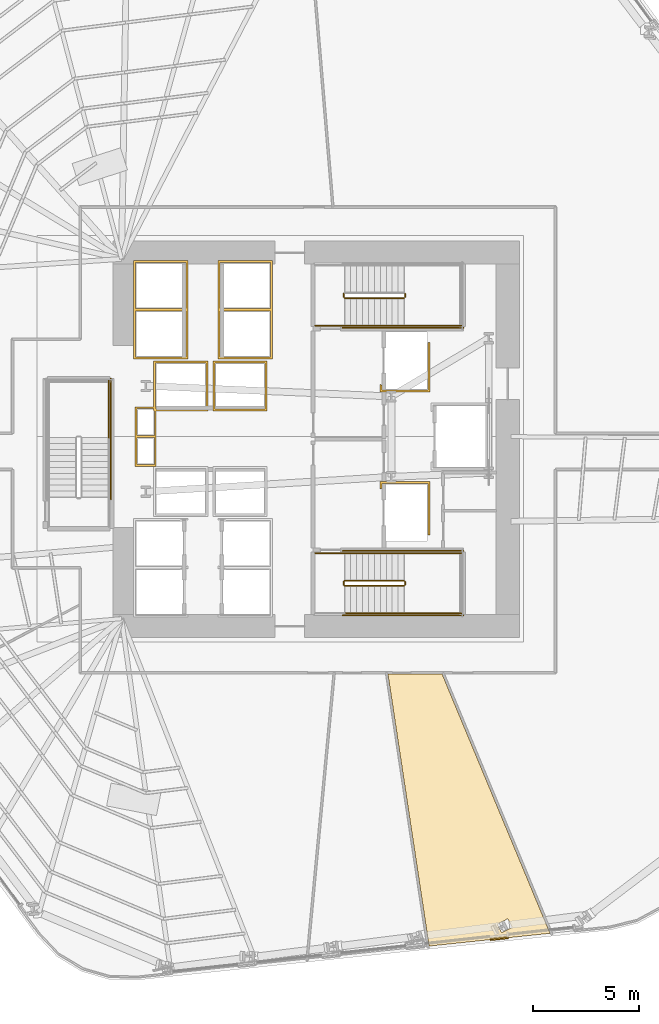
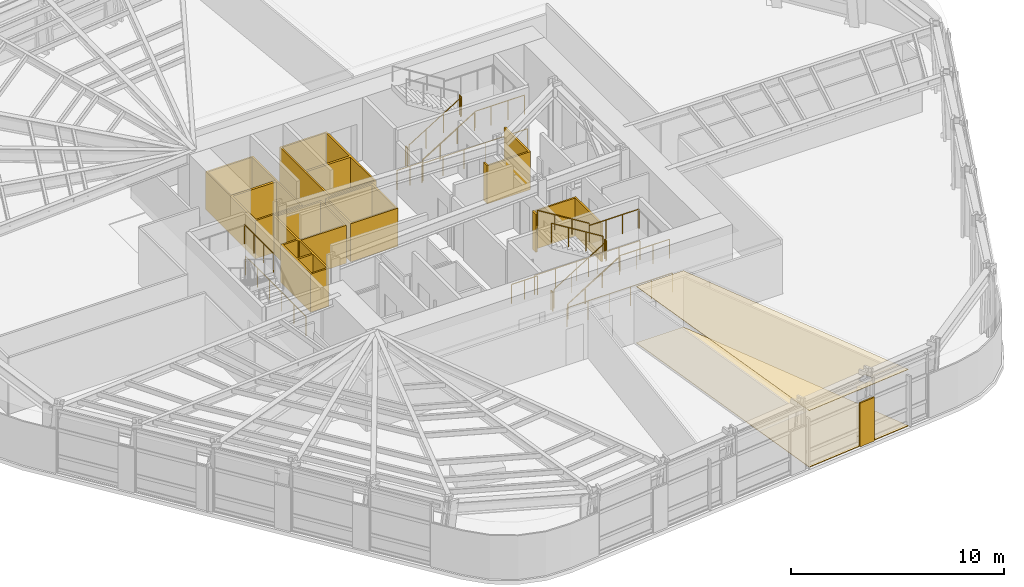
# One storey, part 13 of 16: 20 railings, 9 coverings.
"""IFC4 building model written with IfcOpenShell, lengths in metres."""

from ifc_helpers import new_model, si_unit, direction, frame, origin, origin_2d, place, context, subcontext, project, spatial, polyline, circle, outline, extrude, material, layer, layer_set, type_object, element, save


model = new_model("IFC4")

# Units and contexts
model_context = context("Model", 3, precision=1e-05, world=origin(), true_north=direction((0.0, 1.0)))
body_context = subcontext(model_context, "Body", "Model", "MODEL_VIEW")
ifc_project = project(units=[si_unit("LENGTHUNIT", "METRE"), si_unit("AREAUNIT", "SQUARE_METRE"), si_unit("VOLUMEUNIT", "CUBIC_METRE"), si_unit("PLANEANGLEUNIT", "RADIAN"), si_unit("MASSUNIT", "GRAM", prefix="KILO")], contexts=[model_context])

# Site, building, storey
site_placement = place(None, origin())
site = spatial("IfcSite", under=ifc_project, at=site_placement, CompositionType="ELEMENT")
building_placement = place(site_placement, origin())
building = spatial("IfcBuilding", under=site, at=building_placement, Name="Valkerne Bourse Tower", CompositionType="ELEMENT")
storey_placement = place(building_placement, frame((0.0, 0.0, 50.60009765625)))
storey = spatial("IfcBuildingStorey", under=building, at=storey_placement, Name="L12", CompositionType="ELEMENT", Elevation=50.60009765625)

# Coverings
ifc_material_1 = material(Name="Mineral Fiber Acoustic Ceiling Tile", Category="acoustic")
ifc_layer_1 = layer(ifc_material_1, 0.02490234375)
ifc_layer_set_1 = layer_set([ifc_layer_1], Name="Mineral Fiber Acoustic Ceiling Tile")
covering_type_1 = type_object("IfcCoveringType", Name="COV-CEIL-ACT", PredefinedType="CEILING", material=ifc_layer_set_1)
covering_1_placement = place(storey_placement, frame((0.0, 0.0, 3.22998046875)))
element("IfcCovering", 1, at=covering_1_placement, inside=storey, type_object=covering_type_1, Name="L12 Suspended Ceiling 04", PredefinedType="CEILING", context=body_context, shape_type="SweptSolid", body=[
    extrude(outline(polyline([(52.748291015625, 15.781005859375), (57.847412109375, 3.53125), (52.134033203125, 2.926513671875), (50.18994140625, 15.781005859375), (52.748291015625, 15.781005859375)]), holes=[polyline([(56.05810546875, 3.811279296875), (55.850341796875, 4.218994140625), (55.846923828125, 4.2177734375), (55.35400390625, 3.9658203125), (55.561767578125, 3.55810546875), (55.565185546875, 3.559326171875), (56.05810546875, 3.811279296875)])]), origin(), (0.0, 0.0, 1.0), 0.02490234375),
])
ifc_material_2 = material(Name="Bronze Anodised Aluminium AA 6063-T6", Category="aluminium")
ifc_layer_2 = layer(ifc_material_2, 0.06005859375)
ifc_layer_set_2 = layer_set([ifc_layer_2], Name="Bronze Anodised Aluminium AA 6063-T6")
covering_type_2 = type_object("IfcCoveringType", Name="COV-CRN-ALUM", PredefinedType="CLADDING", material=ifc_layer_set_2)
covering_2_placement = place(storey_placement, origin())
element("IfcCovering", 2, at=covering_2_placement, inside=storey, type_object=covering_type_2, Name="L12 Wind-Shaped Corner Aluminium Cladding 02", PredefinedType="CLADDING", context=body_context, shape_type="SweptSolid", body=[
    extrude(outline(polyline([(55.03662109375, 3.189453125), (55.02783203125, 3.268798828125), (55.86328125, 3.357421875), (55.8720703125, 3.27783203125), (55.03662109375, 3.189453125)])), origin(), (0.0, 0.0, 1.0), 2.5),
])
ifc_material_3 = material(Name="Polished Granite Stone", Category="masonry")
ifc_layer_3 = layer(ifc_material_3, 0.030029296875)
ifc_layer_set_3 = layer_set([ifc_layer_3], Name="Polished Granite Stone")
covering_type_3 = type_object("IfcCoveringType", Name="COV-FLR-TERRAZZO", PredefinedType="FLOORING", material=ifc_layer_set_3)
covering_3_placement = place(storey_placement, origin())
element("IfcCovering", 3, at=covering_3_placement, inside=storey, type_object=covering_type_3, Name="L12 Floor Finish 04", PredefinedType="FLOORING", context=body_context, shape_type="SweptSolid", body=[
    extrude(outline(polyline([(52.748291015625, 15.781005859375), (57.847412109375, 3.53125), (52.134033203125, 2.926513671875), (50.18994140625, 15.781005859375), (52.748291015625, 15.781005859375)]), holes=[polyline([(56.05810546875, 3.811279296875), (55.850341796875, 4.218994140625), (55.846923828125, 4.2177734375), (55.35400390625, 3.9658203125), (55.561767578125, 3.55810546875), (55.565185546875, 3.559326171875), (56.05810546875, 3.811279296875)])]), origin(), (0.0, 0.0, 1.0), 0.02978515625),
])
ifc_material_4 = material(Name="Gypsum Shaftwall Liner Board", Category="gypsum")
ifc_layer_4 = layer(ifc_material_4, 0.080078125)
ifc_layer_set_4 = layer_set([ifc_layer_4], Name="Gypsum Shaftwall Liner Board")
covering_type_4 = type_object("IfcCoveringType", Name="COV-SHF-CLAD", PredefinedType="CLADDING", material=ifc_layer_set_4)
covering_4_placement = place(storey_placement, origin())
element("IfcCovering", 4, at=covering_4_placement, inside=storey, type_object=covering_type_4, Name="L12 Hoistway & Riser Shaftwall Liner 04", PredefinedType="CLADDING", context=body_context, shape_type="SweptSolid", body=[
    extrude(outline(polyline([(38.239990234375, 28.409912109375), (39.1201171875, 28.409912109375), (39.1201171875, 30.580078125), (41.679931640625, 30.580078125), (41.679931640625, 28.219970703125), (39.239990234375, 28.219970703125), (39.239990234375, 27.0400390625), (39.239990234375, 26.9599609375), (39.239990234375, 25.590087890625), (38.239990234375, 25.590087890625), (38.239990234375, 26.9599609375), (38.239990234375, 27.0400390625), (38.239990234375, 28.409912109375)]), holes=[polyline([(39.2099609375, 30.489990234375), (39.2099609375, 28.409912109375), (39.239990234375, 28.409912109375), (39.239990234375, 28.31005859375), (41.590087890625, 28.31005859375), (41.590087890625, 30.489990234375), (39.2099609375, 30.489990234375)]), polyline([(38.330078125, 26.949951171875), (38.330078125, 25.679931640625), (39.14990234375, 25.679931640625), (39.14990234375, 26.949951171875), (38.330078125, 26.949951171875)]), polyline([(39.1201171875, 28.219970703125), (39.1201171875, 28.320068359375), (38.330078125, 28.320068359375), (38.330078125, 27.050048828125), (39.14990234375, 27.050048828125), (39.14990234375, 28.219970703125), (39.1201171875, 28.219970703125)])]), origin(), (0.0, 0.0, 1.0), 2.179931640625),
])
covering_5_placement = place(storey_placement, origin())
element("IfcCovering", 5, at=covering_5_placement, inside=storey, type_object=covering_type_4, Name="L12 Hoistway & Riser Shaftwall Liner 05", PredefinedType="CLADDING", context=body_context, shape_type="SweptSolid", body=[
    extrude(outline(polyline([(38.169921875, 35.330078125), (40.72998046875, 35.330078125), (40.72998046875, 33.030029296875), (40.72998046875, 32.969970703125), (40.72998046875, 30.669921875), (38.169921875, 30.669921875), (38.169921875, 32.969970703125), (38.169921875, 33.030029296875), (38.169921875, 35.330078125)]), holes=[polyline([(38.260009765625, 32.93994140625), (38.260009765625, 30.760009765625), (40.639892578125, 30.760009765625), (40.639892578125, 32.93994140625), (38.260009765625, 32.93994140625)]), polyline([(38.260009765625, 35.239990234375), (38.260009765625, 33.06005859375), (40.639892578125, 33.06005859375), (40.639892578125, 35.239990234375), (38.260009765625, 35.239990234375)])]), origin(), (0.0, 0.0, 1.0), 2.179931640625),
])
covering_6_placement = place(storey_placement, origin())
element("IfcCovering", 6, at=covering_6_placement, inside=storey, type_object=covering_type_4, Name="L12 Hoistway & Riser Shaftwall Liner 07", PredefinedType="CLADDING", context=body_context, shape_type="SweptSolid", body=[
    extrude(outline(polyline([(52.179931640625, 22.35009765625), (52.090087890625, 22.35009765625), (52.090087890625, 24.7900390625), (49.909912109375, 24.7900390625), (49.909912109375, 24.560791015625), (49.869384765625, 24.550537109375), (49.827880859375, 24.53564453125), (49.820068359375, 24.531982421875), (49.820068359375, 24.8798828125), (52.179931640625, 24.8798828125), (52.179931640625, 22.35009765625)])), origin(), (0.0, 0.0, 1.0), 2.179931640625),
])
covering_7_placement = place(storey_placement, origin())
element("IfcCovering", 7, at=covering_7_placement, inside=storey, type_object=covering_type_4, Name="L12 Hoistway & Riser Shaftwall Liner 09", PredefinedType="CLADDING", context=body_context, shape_type="SweptSolid", body=[
    extrude(outline(polyline([(44.47998046875, 28.219970703125), (41.919921875, 28.219970703125), (41.919921875, 30.580078125), (44.47998046875, 30.580078125), (44.47998046875, 28.219970703125)]), holes=[polyline([(42.010009765625, 30.489990234375), (42.010009765625, 28.31005859375), (44.389892578125, 28.31005859375), (44.389892578125, 30.489990234375), (42.010009765625, 30.489990234375)])]), origin(), (0.0, 0.0, 1.0), 2.179931640625),
])
covering_8_placement = place(storey_placement, origin())
element("IfcCovering", 8, at=covering_8_placement, inside=storey, type_object=covering_type_4, Name="L12 Hoistway & Riser Shaftwall Liner 10", PredefinedType="CLADDING", context=body_context, shape_type="SweptSolid", body=[
    extrude(outline(polyline([(49.820068359375, 29.1201171875), (49.820068359375, 29.468017578125), (49.827880859375, 29.46435546875), (49.869384765625, 29.449462890625), (49.909912109375, 29.439208984375), (49.909912109375, 29.2099609375), (52.090087890625, 29.2099609375), (52.090087890625, 31.449951171875), (52.179931640625, 31.449951171875), (52.179931640625, 29.1201171875), (49.820068359375, 29.1201171875)])), origin(), (0.0, 0.0, 1.0), 2.179931640625),
])
covering_9_placement = place(storey_placement, origin())
element("IfcCovering", 9, at=covering_9_placement, inside=storey, type_object=covering_type_4, Name="L12 Hoistway & Riser Shaftwall Liner 11", PredefinedType="CLADDING", context=body_context, shape_type="SweptSolid", body=[
    extrude(outline(polyline([(44.72998046875, 35.330078125), (44.72998046875, 33.030029296875), (44.72998046875, 32.969970703125), (44.72998046875, 30.669921875), (42.169921875, 30.669921875), (42.169921875, 32.969970703125), (42.169921875, 33.030029296875), (42.169921875, 35.330078125), (44.72998046875, 35.330078125)]), holes=[polyline([(42.260009765625, 30.760009765625), (44.639892578125, 30.760009765625), (44.639892578125, 32.93994140625), (42.260009765625, 32.93994140625), (42.260009765625, 30.760009765625)]), polyline([(42.260009765625, 33.06005859375), (44.639892578125, 33.06005859375), (44.639892578125, 35.239990234375), (42.260009765625, 35.239990234375), (42.260009765625, 33.06005859375)])]), origin(), (0.0, 0.0, 1.0), 2.179931640625),
])

# Railings
ifc_material_5 = material(Name="Galvanised Painted Steel", Category="steel")
railing_type_1 = type_object("IfcRailingType", Name="RLG-ST-GUARD-1120", PredefinedType="GUARDRAIL", material=ifc_material_5)
railing_1_placement = place(storey_placement, frame((48.14990234375, 19.949951171875, 0.172607421875)))
element("IfcRailing", 10, at=railing_1_placement, inside=storey, type_object=railing_type_1, Name="L12 ST-1 stair guard 1", PredefinedType="GUARDRAIL", context=body_context, shape_type="SweptSolid", body=[
    extrude(circle(Radius=0.02392578125, at=origin_2d()), frame((0.0, 0.0, 1.09619140625), z_axis=(0.851089632645, 0.0, 0.525020415988), x_axis=(0.0, 1.0, 0.0)), (0.0, 0.0, 1.0), 3.2900390625),
    extrude(circle(Radius=0.02099609375, at=origin_2d()), origin(), (0.0, 0.0, 1.0), 1.072021484375),
    extrude(circle(Radius=0.02099609375, at=origin_2d()), frame((0.933349609375, 0.0, 0.57568359375)), (0.0, 0.0, 1.0), 1.072021484375),
    extrude(circle(Radius=0.02099609375, at=origin_2d()), frame((1.86669921875, 0.0, 1.151611328125)), (0.0, 0.0, 1.0), 1.072021484375),
    extrude(circle(Radius=0.02099609375, at=origin_2d()), frame((2.800048828125, 0.0, 1.727294921875)), (0.0, 0.0, 1.0), 1.072021484375),
])
railing_2_placement = place(storey_placement, frame((51.0, 20.0, 1.89990234375)))
element("IfcRailing", 11, at=railing_2_placement, inside=storey, type_object=railing_type_1, Name="L12 ST-1 stair guard 2", PredefinedType="GUARDRAIL", context=body_context, shape_type="SweptSolid", body=[
    extrude(circle(Radius=0.02392578125, at=origin_2d()), frame((0.0, 0.0, 1.09619140625), z_axis=(0.0, 1.0, 0.0), x_axis=(-1.0, 0.0, 0.0)), (0.0, 0.0, 1.0), 0.14990234375),
    extrude(circle(Radius=0.02099609375, at=origin_2d()), origin(), (0.0, 0.0, 1.0), 1.072021484375),
    extrude(circle(Radius=0.02099609375, at=origin_2d()), frame((0.0, 0.14990234375, 0.0)), (0.0, 0.0, 1.0), 1.072021484375),
])
for number, where, name in (
    (12, (50.949951171875, 18.64990234375, 1.89990234375), "L12 ST-1 stair guard 3"),
    (13, (50.949951171875, 21.5, 1.89990234375), "L12 ST-1 stair guard 4"),
):
    element("IfcRailing", number, at=place(storey_placement, frame(where)), inside=storey, type_object=railing_type_1, Name=name, PredefinedType="GUARDRAIL", context=body_context, shape_type="SweptSolid", body=[
        extrude(circle(Radius=0.02392578125, at=origin_2d()), frame((0.0, 0.0, 1.09619140625), z_axis=(1.0, 0.0, 0.0), x_axis=(0.0, 1.0, 0.0)), (0.0, 0.0, 1.0), 2.699951171875),
        extrude(circle(Radius=0.02099609375, at=origin_2d()), origin(), (0.0, 0.0, 1.0), 1.072021484375),
        extrude(circle(Radius=0.02099609375, at=origin_2d()), frame((0.89990234375, 0.0, 0.0)), (0.0, 0.0, 1.0), 1.072021484375),
        extrude(circle(Radius=0.02099609375, at=origin_2d()), frame((1.800048828125, 0.0, 0.0)), (0.0, 0.0, 1.0), 1.072021484375),
        extrude(circle(Radius=0.02099609375, at=origin_2d()), frame((2.699951171875, 0.0, 0.0)), (0.0, 0.0, 1.0), 1.072021484375),
    ])
railing_3_placement = place(storey_placement, frame((50.949951171875, 20.199951171875, 2.072509765625)))
element("IfcRailing", 14, at=railing_3_placement, inside=storey, type_object=railing_type_1, Name="L12 ST-1 stair guard 6", PredefinedType="GUARDRAIL", context=body_context, shape_type="SweptSolid", body=[
    extrude(circle(Radius=0.02392578125, at=origin_2d()), frame((0.0, 0.0, 1.09619140625), z_axis=(-0.851089632645, 0.0, 0.525020415988), x_axis=(0.0, -1.0, 0.0)), (0.0, 0.0, 1.0), 3.2900390625),
    extrude(circle(Radius=0.02099609375, at=origin_2d()), origin(), (0.0, 0.0, 1.0), 1.072021484375),
    extrude(circle(Radius=0.02099609375, at=origin_2d()), frame((-0.933349609375, 0.0, 0.57568359375)), (0.0, 0.0, 1.0), 1.072021484375),
    extrude(circle(Radius=0.02099609375, at=origin_2d()), frame((-1.86669921875, 0.0, 1.151611328125)), (0.0, 0.0, 1.0), 1.072021484375),
    extrude(circle(Radius=0.02099609375, at=origin_2d()), frame((-2.800048828125, 0.0, 1.727294921875)), (0.0, 0.0, 1.0), 1.072021484375),
])
railing_4_placement = place(storey_placement, frame((48.10009765625, 20.0, 0.0)))
element("IfcRailing", 15, at=railing_4_placement, inside=storey, type_object=railing_type_1, Name="L12 ST-1 stair guard 7", PredefinedType="GUARDRAIL", context=body_context, shape_type="SweptSolid", body=[
    extrude(circle(Radius=0.02392578125, at=origin_2d()), frame((0.0, 0.0, 1.09619140625), z_axis=(0.0, 1.0, 0.0), x_axis=(-1.0, 0.0, 0.0)), (0.0, 0.0, 1.0), 0.14990234375),
    extrude(circle(Radius=0.02099609375, at=origin_2d()), origin(), (0.0, 0.0, 1.0), 1.072021484375),
    extrude(circle(Radius=0.02099609375, at=origin_2d()), frame((0.0, 0.14990234375, 0.0)), (0.0, 0.0, 1.0), 1.072021484375),
])
railing_5_placement = place(storey_placement, frame((46.75, 21.5, 0.0)))
element("IfcRailing", 16, at=railing_5_placement, inside=storey, type_object=railing_type_1, Name="L12 ST-1 stair guard 9", PredefinedType="GUARDRAIL", context=body_context, shape_type="SweptSolid", body=[
    extrude(circle(Radius=0.02392578125, at=origin_2d()), frame((0.0, 0.0, 1.09619140625), z_axis=(1.0, 0.0, 0.0), x_axis=(0.0, 1.0, 0.0)), (0.0, 0.0, 1.0), 1.39990234375),
    extrude(circle(Radius=0.02099609375, at=origin_2d()), origin(), (0.0, 0.0, 1.0), 1.072021484375),
    extrude(circle(Radius=0.02099609375, at=origin_2d()), frame((0.699951171875, 0.0, 0.0)), (0.0, 0.0, 1.0), 1.072021484375),
    extrude(circle(Radius=0.02099609375, at=origin_2d()), frame((1.39990234375, 0.0, 0.0)), (0.0, 0.0, 1.0), 1.072021484375),
])
for number, where, name in (
    (17, (48.050048828125, 18.550048828125, 0.0), "L12 ST-1 stair guard 10"),
    (18, (48.050048828125, 21.60009765625, 0.0), "L12 ST-1 stair guard 11"),
):
    element("IfcRailing", number, at=place(storey_placement, frame(where)), inside=storey, type_object=railing_type_1, Name=name, PredefinedType="GUARDRAIL", context=body_context, shape_type="SweptSolid", body=[
        extrude(circle(Radius=0.02392578125, at=origin_2d()), frame((0.0, 0.0, 1.09619140625), z_axis=(1.0, 0.0, 0.0), x_axis=(0.0, 1.0, 0.0)), (0.0, 0.0, 1.0), 5.699951171875),
        extrude(circle(Radius=0.02099609375, at=origin_2d()), origin(), (0.0, 0.0, 1.0), 1.072021484375),
        extrude(circle(Radius=0.02099609375, at=origin_2d()), frame((1.139892578125, 0.0, 0.0)), (0.0, 0.0, 1.0), 1.072021484375),
        extrude(circle(Radius=0.02099609375, at=origin_2d()), frame((2.280029296875, 0.0, 0.0)), (0.0, 0.0, 1.0), 1.072021484375),
        extrude(circle(Radius=0.02099609375, at=origin_2d()), frame((3.419921875, 0.0, 0.0)), (0.0, 0.0, 1.0), 1.072021484375),
        extrude(circle(Radius=0.02099609375, at=origin_2d()), frame((4.56005859375, 0.0, 0.0)), (0.0, 0.0, 1.0), 1.072021484375),
        extrude(circle(Radius=0.02099609375, at=origin_2d()), frame((5.699951171875, 0.0, 0.0)), (0.0, 0.0, 1.0), 1.072021484375),
    ])
railing_6_placement = place(storey_placement, frame((48.14990234375, 33.550048828125, 0.172607421875)))
element("IfcRailing", 19, at=railing_6_placement, inside=storey, type_object=railing_type_1, Name="L12 ST-2 stair guard 1", PredefinedType="GUARDRAIL", context=body_context, shape_type="SweptSolid", body=[
    extrude(circle(Radius=0.02392578125, at=origin_2d()), frame((0.0, 0.0, 1.09619140625), z_axis=(0.851089632645, 0.0, 0.525020415988), x_axis=(0.0, 1.0, 0.0)), (0.0, 0.0, 1.0), 3.2900390625),
    extrude(circle(Radius=0.02099609375, at=origin_2d()), origin(), (0.0, 0.0, 1.0), 1.072021484375),
    extrude(circle(Radius=0.02099609375, at=origin_2d()), frame((0.933349609375, 0.0, 0.57568359375)), (0.0, 0.0, 1.0), 1.072021484375),
    extrude(circle(Radius=0.02099609375, at=origin_2d()), frame((1.86669921875, 0.0, 1.151611328125)), (0.0, 0.0, 1.0), 1.072021484375),
    extrude(circle(Radius=0.02099609375, at=origin_2d()), frame((2.800048828125, 0.0, 1.727294921875)), (0.0, 0.0, 1.0), 1.072021484375),
])
railing_7_placement = place(storey_placement, frame((51.0, 33.60009765625, 1.89990234375)))
element("IfcRailing", 20, at=railing_7_placement, inside=storey, type_object=railing_type_1, Name="L12 ST-2 stair guard 2", PredefinedType="GUARDRAIL", context=body_context, shape_type="SweptSolid", body=[
    extrude(circle(Radius=0.02392578125, at=origin_2d()), frame((0.0, 0.0, 1.09619140625), z_axis=(0.0, 1.0, 0.0), x_axis=(-1.0, 0.0, 0.0)), (0.0, 0.0, 1.0), 0.14990234375),
    extrude(circle(Radius=0.02099609375, at=origin_2d()), origin(), (0.0, 0.0, 1.0), 1.072021484375),
    extrude(circle(Radius=0.02099609375, at=origin_2d()), frame((0.0, 0.14990234375, 0.0)), (0.0, 0.0, 1.0), 1.072021484375),
])
railing_8_placement = place(storey_placement, frame((50.949951171875, 32.25, 1.89990234375)))
element("IfcRailing", 21, at=railing_8_placement, inside=storey, type_object=railing_type_1, Name="L12 ST-2 stair guard 3", PredefinedType="GUARDRAIL", context=body_context, shape_type="SweptSolid", body=[
    extrude(circle(Radius=0.02392578125, at=origin_2d()), frame((0.0, 0.0, 1.09619140625), z_axis=(1.0, 0.0, 0.0), x_axis=(0.0, 1.0, 0.0)), (0.0, 0.0, 1.0), 2.699951171875),
    extrude(circle(Radius=0.02099609375, at=origin_2d()), origin(), (0.0, 0.0, 1.0), 1.072021484375),
    extrude(circle(Radius=0.02099609375, at=origin_2d()), frame((0.89990234375, 0.0, 0.0)), (0.0, 0.0, 1.0), 1.072021484375),
    extrude(circle(Radius=0.02099609375, at=origin_2d()), frame((1.800048828125, 0.0, 0.0)), (0.0, 0.0, 1.0), 1.072021484375),
    extrude(circle(Radius=0.02099609375, at=origin_2d()), frame((2.699951171875, 0.0, 0.0)), (0.0, 0.0, 1.0), 1.072021484375),
])
railing_9_placement = place(storey_placement, frame((48.10009765625, 33.60009765625, 0.0)))
element("IfcRailing", 22, at=railing_9_placement, inside=storey, type_object=railing_type_1, Name="L12 ST-2 stair guard 7", PredefinedType="GUARDRAIL", context=body_context, shape_type="SweptSolid", body=[
    extrude(circle(Radius=0.02392578125, at=origin_2d()), frame((0.0, 0.0, 1.09619140625), z_axis=(0.0, 1.0, 0.0), x_axis=(-1.0, 0.0, 0.0)), (0.0, 0.0, 1.0), 0.14990234375),
    extrude(circle(Radius=0.02099609375, at=origin_2d()), origin(), (0.0, 0.0, 1.0), 1.072021484375),
    extrude(circle(Radius=0.02099609375, at=origin_2d()), frame((0.0, 0.14990234375, 0.0)), (0.0, 0.0, 1.0), 1.072021484375),
])
railing_10_placement = place(storey_placement, frame((46.75, 32.25, 0.0)))
element("IfcRailing", 23, at=railing_10_placement, inside=storey, type_object=railing_type_1, Name="L12 ST-2 stair guard 8", PredefinedType="GUARDRAIL", context=body_context, shape_type="SweptSolid", body=[
    extrude(circle(Radius=0.02392578125, at=origin_2d()), frame((0.0, 0.0, 1.09619140625), z_axis=(1.0, 0.0, 0.0), x_axis=(0.0, 1.0, 0.0)), (0.0, 0.0, 1.0), 1.39990234375),
    extrude(circle(Radius=0.02099609375, at=origin_2d()), origin(), (0.0, 0.0, 1.0), 1.072021484375),
    extrude(circle(Radius=0.02099609375, at=origin_2d()), frame((0.699951171875, 0.0, 0.0)), (0.0, 0.0, 1.0), 1.072021484375),
    extrude(circle(Radius=0.02099609375, at=origin_2d()), frame((1.39990234375, 0.0, 0.0)), (0.0, 0.0, 1.0), 1.072021484375),
])
railing_11_placement = place(storey_placement, frame((48.050048828125, 32.14990234375, 0.0)))
element("IfcRailing", 24, at=railing_11_placement, inside=storey, type_object=railing_type_1, Name="L12 ST-2 stair guard 10", PredefinedType="GUARDRAIL", context=body_context, shape_type="SweptSolid", body=[
    extrude(circle(Radius=0.02392578125, at=origin_2d()), frame((0.0, 0.0, 1.09619140625), z_axis=(1.0, 0.0, 0.0), x_axis=(0.0, 1.0, 0.0)), (0.0, 0.0, 1.0), 5.699951171875),
    extrude(circle(Radius=0.02099609375, at=origin_2d()), origin(), (0.0, 0.0, 1.0), 1.072021484375),
    extrude(circle(Radius=0.02099609375, at=origin_2d()), frame((1.139892578125, 0.0, 0.0)), (0.0, 0.0, 1.0), 1.072021484375),
    extrude(circle(Radius=0.02099609375, at=origin_2d()), frame((2.280029296875, 0.0, 0.0)), (0.0, 0.0, 1.0), 1.072021484375),
    extrude(circle(Radius=0.02099609375, at=origin_2d()), frame((3.419921875, 0.0, 0.0)), (0.0, 0.0, 1.0), 1.072021484375),
    extrude(circle(Radius=0.02099609375, at=origin_2d()), frame((4.56005859375, 0.0, 0.0)), (0.0, 0.0, 1.0), 1.072021484375),
    extrude(circle(Radius=0.02099609375, at=origin_2d()), frame((5.699951171875, 0.0, 0.0)), (0.0, 0.0, 1.0), 1.072021484375),
])
railing_12_placement = place(storey_placement, frame((37.0, 26.949951171875, 1.89990234375)))
element("IfcRailing", 25, at=railing_12_placement, inside=storey, type_object=railing_type_1, Name="L12 ST-3 stair guard 3", PredefinedType="GUARDRAIL", context=body_context, shape_type="SweptSolid", body=[
    extrude(circle(Radius=0.02392578125, at=origin_2d()), frame((0.0, 0.0, 1.09619140625), z_axis=(0.0, 1.0, 0.0), x_axis=(-1.0, 0.0, 0.0)), (0.0, 0.0, 1.0), 2.699951171875),
    extrude(circle(Radius=0.02099609375, at=origin_2d()), origin(), (0.0, 0.0, 1.0), 1.072021484375),
    extrude(circle(Radius=0.02099609375, at=origin_2d()), frame((0.0, 0.89990234375, 0.0)), (0.0, 0.0, 1.0), 1.072021484375),
    extrude(circle(Radius=0.02099609375, at=origin_2d()), frame((0.0, 1.800048828125, 0.0)), (0.0, 0.0, 1.0), 1.072021484375),
    extrude(circle(Radius=0.02099609375, at=origin_2d()), frame((0.0, 2.699951171875, 0.0)), (0.0, 0.0, 1.0), 1.072021484375),
])
railing_13_placement = place(storey_placement, frame((37.10009765625, 24.050048828125, 0.0)))
element("IfcRailing", 26, at=railing_13_placement, inside=storey, type_object=railing_type_1, Name="L12 ST-3 stair guard 10", PredefinedType="GUARDRAIL", context=body_context, shape_type="SweptSolid", body=[
    extrude(circle(Radius=0.02392578125, at=origin_2d()), frame((0.0, 0.0, 1.09619140625), z_axis=(0.0, 1.0, 0.0), x_axis=(-1.0, 0.0, 0.0)), (0.0, 0.0, 1.0), 5.699951171875),
    extrude(circle(Radius=0.02099609375, at=origin_2d()), origin(), (0.0, 0.0, 1.0), 1.072021484375),
    extrude(circle(Radius=0.02099609375, at=origin_2d()), frame((0.0, 1.139892578125, 0.0)), (0.0, 0.0, 1.0), 1.072021484375),
    extrude(circle(Radius=0.02099609375, at=origin_2d()), frame((0.0, 2.280029296875, 0.0)), (0.0, 0.0, 1.0), 1.072021484375),
    extrude(circle(Radius=0.02099609375, at=origin_2d()), frame((0.0, 3.419921875, 0.0)), (0.0, 0.0, 1.0), 1.072021484375),
    extrude(circle(Radius=0.02099609375, at=origin_2d()), frame((0.0, 4.56005859375, 0.0)), (0.0, 0.0, 1.0), 1.072021484375),
    extrude(circle(Radius=0.02099609375, at=origin_2d()), frame((0.0, 5.699951171875, 0.0)), (0.0, 0.0, 1.0), 1.072021484375),
])
ifc_material_6 = material(Name="Stainless Steel AISI 316", Category="steel")
railing_type_2 = type_object("IfcRailingType", Name="RLG-ST-HANDRAIL-900", PredefinedType="HANDRAIL", material=ifc_material_6)
railing_14_placement = place(storey_placement, frame((48.14990234375, 18.64990234375, 0.345458984375)))
element("IfcRailing", 27, at=railing_14_placement, inside=storey, type_object=railing_type_2, Name="L12 ST-1 stair handrail 1", PredefinedType="HANDRAIL", context=body_context, shape_type="SweptSolid", body=[
    extrude(circle(Radius=0.02392578125, at=origin_2d()), frame((0.0, 0.0, 0.8759765625), z_axis=(0.851122791225, 0.0, 0.524966660138), x_axis=(0.0, 1.0, 0.0)), (0.0, 0.0, 1.0), 3.289794921875),
    extrude(circle(Radius=0.02099609375, at=origin_2d()), origin(), (0.0, 0.0, 1.0), 0.851806640625),
    extrude(circle(Radius=0.02099609375, at=origin_2d()), frame((0.933349609375, 0.0, 0.57568359375)), (0.0, 0.0, 1.0), 0.851806640625),
    extrude(circle(Radius=0.02099609375, at=origin_2d()), frame((1.86669921875, 0.0, 1.1513671875)), (0.0, 0.0, 1.0), 0.851806640625),
    extrude(circle(Radius=0.02099609375, at=origin_2d()), frame((2.800048828125, 0.0, 1.72705078125)), (0.0, 0.0, 1.0), 0.851806640625),
])
railing_15_placement = place(storey_placement, frame((50.949951171875, 21.5, 2.245361328125)))
element("IfcRailing", 28, at=railing_15_placement, inside=storey, type_object=railing_type_2, Name="L12 ST-1 stair handrail 2", PredefinedType="HANDRAIL", context=body_context, shape_type="SweptSolid", body=[
    extrude(circle(Radius=0.02392578125, at=origin_2d()), frame((0.0, 0.0, 0.8759765625), z_axis=(-0.851089632645, 0.0, 0.525020415988), x_axis=(0.0, -1.0, 0.0)), (0.0, 0.0, 1.0), 3.2900390625),
    extrude(circle(Radius=0.02099609375, at=origin_2d()), origin(), (0.0, 0.0, 1.0), 0.851806640625),
    extrude(circle(Radius=0.02099609375, at=origin_2d()), frame((-0.933349609375, 0.0, 0.57568359375)), (0.0, 0.0, 1.0), 0.851806640625),
    extrude(circle(Radius=0.02099609375, at=origin_2d()), frame((-1.86669921875, 0.0, 1.151611328125)), (0.0, 0.0, 1.0), 0.851806640625),
    extrude(circle(Radius=0.02099609375, at=origin_2d()), frame((-2.800048828125, 0.0, 1.727294921875)), (0.0, 0.0, 1.0), 0.851806640625),
])
railing_16_placement = place(storey_placement, frame((48.14990234375, 32.25, 0.345458984375)))
element("IfcRailing", 29, at=railing_16_placement, inside=storey, type_object=railing_type_2, Name="L12 ST-2 stair handrail 1", PredefinedType="HANDRAIL", context=body_context, shape_type="SweptSolid", body=[
    extrude(circle(Radius=0.02392578125, at=origin_2d()), frame((0.0, 0.0, 0.8759765625), z_axis=(0.851122791225, 0.0, 0.524966660138), x_axis=(0.0, 1.0, 0.0)), (0.0, 0.0, 1.0), 3.289794921875),
    extrude(circle(Radius=0.02099609375, at=origin_2d()), origin(), (0.0, 0.0, 1.0), 0.851806640625),
    extrude(circle(Radius=0.02099609375, at=origin_2d()), frame((0.933349609375, 0.0, 0.57568359375)), (0.0, 0.0, 1.0), 0.851806640625),
    extrude(circle(Radius=0.02099609375, at=origin_2d()), frame((1.86669921875, 0.0, 1.1513671875)), (0.0, 0.0, 1.0), 0.851806640625),
    extrude(circle(Radius=0.02099609375, at=origin_2d()), frame((2.800048828125, 0.0, 1.72705078125)), (0.0, 0.0, 1.0), 0.851806640625),
])

save(model, "model.ifc")
